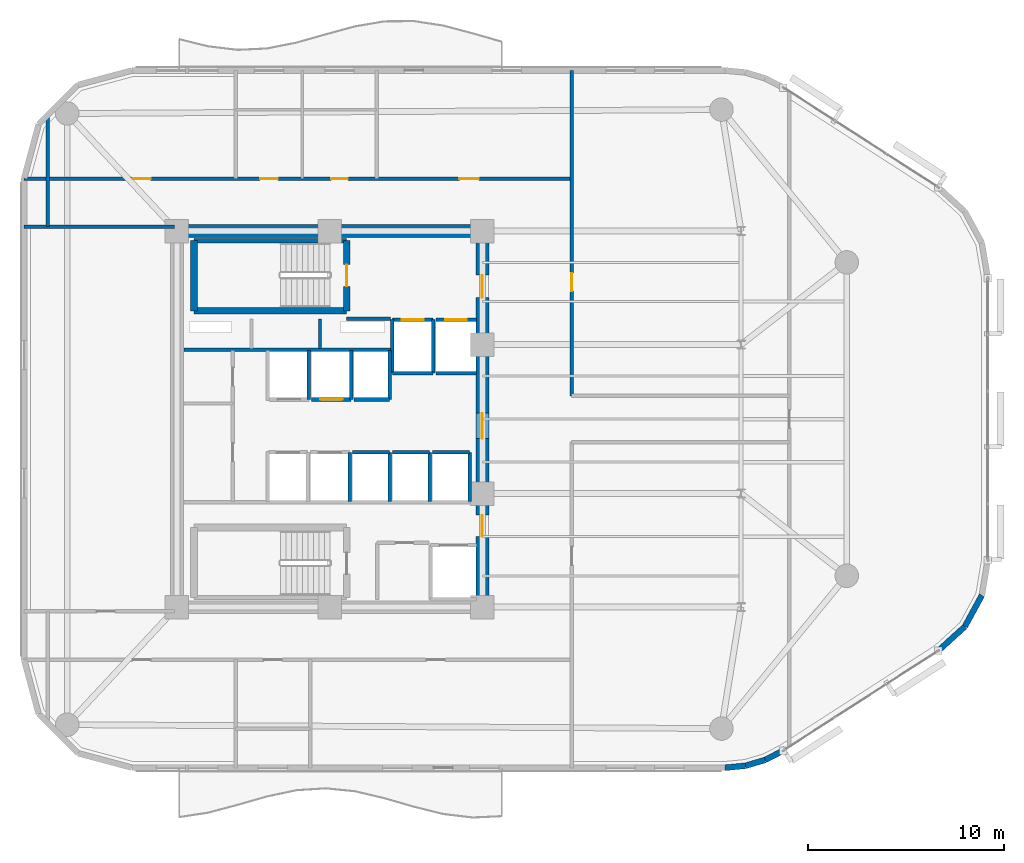
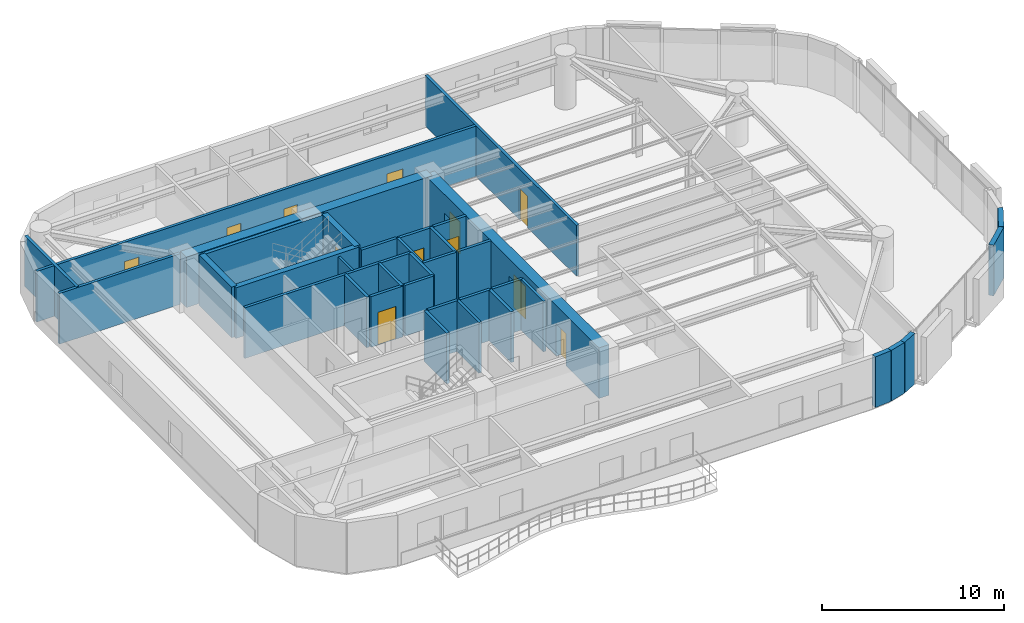
# One storey, part 11 of 14: 36 walls, 12 doors, 12 openings.
"""IFC4 building model written with IfcOpenShell, lengths in metres."""

from ifc_helpers import new_model, si_unit, direction, frame, frame_2d, origin, place, context, subcontext, project, spatial, rectangle, extrude, material, layer, layer_set, type_object, element, fill, save


model = new_model("IFC4")

# Units and contexts
model_context = context("Model", 3, precision=1e-05, world=origin(), true_north=direction((0.0, 1.0)))
body_context = subcontext(model_context, "Body", "Model", "MODEL_VIEW")
ifc_project = project(units=[si_unit("LENGTHUNIT", "METRE"), si_unit("AREAUNIT", "SQUARE_METRE"), si_unit("VOLUMEUNIT", "CUBIC_METRE"), si_unit("PLANEANGLEUNIT", "RADIAN"), si_unit("MASSUNIT", "GRAM", prefix="KILO")], contexts=[model_context])

# Site, building, storey
site_placement = place(None, origin())
site = spatial("IfcSite", under=ifc_project, at=site_placement, CompositionType="ELEMENT")
building_placement = place(site_placement, origin())
building = spatial("IfcBuilding", under=site, at=building_placement, Name="An Khanh Terracotta Commons", CompositionType="ELEMENT")
storey_placement = place(building_placement, frame((0.0, 0.0, 158.199951171875)))
storey = spatial("IfcBuildingStorey", under=building, at=storey_placement, Name="L41", CompositionType="ELEMENT", Elevation=158.199951171875)

# Wall
ifc_material_1 = material(Name="Concrete C60/75", Category="concrete")
ifc_layer_1 = layer(ifc_material_1, 0.64990234375, Name="Concrete C60/75")
ifc_layer_set_1 = layer_set([ifc_layer_1], Name="Concrete C60/75")
wall_type_1 = type_object("IfcWallType", Name="WALL-CORE-650", PredefinedType="SHEAR", material=ifc_layer_set_1)
wall_1_placement = place(storey_placement, frame((21.60009765625, 33.60009765625, 0.0), z_axis=(0.0, 0.0, 1.0), x_axis=(1.0, 0.0, 0.0)))
element("IfcWall", 1, at=wall_1_placement, inside=storey, type_object=wall_type_1, Name="L41 Core Wall CWALL-L41-N", PredefinedType="SHEAR", context=body_context, shape_type="SweptSolid", body=[
    extrude(rectangle(XDim=15.599853515625, YDim=0.64990234375, at=frame_2d((7.7998046875, 0.0))), origin(), (0.0, 0.0, 1.0), 3.400146484375),
])

# Wall, openings, doors
wall_2_placement = place(storey_placement, frame((37.199951171875, 14.39990234375, 0.0), z_axis=(0.0, 0.0, 1.0), x_axis=(0.0, 1.0, 0.0)))
wall_2 = element("IfcWall", 2, at=wall_2_placement, inside=storey, type_object=wall_type_1, Name="L41 Core Wall CWALL-L41-E", PredefinedType="SHEAR", context=body_context, shape_type="SweptSolid", body=[
    extrude(rectangle(XDim=19.2001953125, YDim=0.64990234375, at=frame_2d((9.60009765625, 0.0))), origin(), (0.0, 0.0, 1.0), 3.400146484375),
])
opening_1_placement = place(wall_2_placement, frame((15.800048828125, 0.0, 0.0)))
opening_1 = element("IfcOpeningElement", 3, at=opening_1_placement, cuts=wall_2, Name="Opening D-FFL", PredefinedType="OPENING", context=body_context, shape_type="SweptSolid", body=[
    extrude(rectangle(XDim=1.14990234375, YDim=2.14990234375, at=frame_2d((0.574951171875, 1.074951171875))), frame((0.0, 0.3349609375, 0.0), z_axis=(0.0, -1.0, 0.0), x_axis=(1.0, 0.0, 0.0)), (0.0, 0.0, 1.0), 0.669921875),
])
opening_2_placement = place(wall_2_placement, frame((3.60009765625, 0.0, 0.0)))
opening_2 = element("IfcOpeningElement", 4, at=opening_2_placement, cuts=wall_2, Name="Opening D-ST", PredefinedType="OPENING", context=body_context, shape_type="SweptSolid", body=[
    extrude(rectangle(XDim=1.10009765625, YDim=2.14990234375, at=frame_2d((0.550048828125, 1.074951171875))), frame((0.0, 0.3349609375, 0.0), z_axis=(0.0, -1.0, 0.0), x_axis=(1.0, 0.0, 0.0)), (0.0, 0.0, 1.0), 0.669921875),
])
opening_3_placement = place(wall_2_placement, frame((8.60009765625, 0.0, 0.0)))
opening_3 = element("IfcOpeningElement", 5, at=opening_3_placement, cuts=wall_2, Name="Opening D-COR", PredefinedType="OPENING", context=body_context, shape_type="SweptSolid", body=[
    extrude(rectangle(XDim=1.300048828125, YDim=2.199951171875, at=frame_2d((0.64990234375, 1.10009765625))), frame((0.0, 0.3349609375, 0.0), z_axis=(0.0, -1.0, 0.0), x_axis=(1.0, 0.0, 0.0)), (0.0, 0.0, 1.0), 0.669921875),
])
ifc_material_2 = material(Name="Fire-Rated Glazed Steel Double Door", Category="steel")
door_type_1 = type_object("IfcDoorType", Name="DOOR-CORR-1300", OperationType="NOTDEFINED", PredefinedType="DOOR", material=ifc_material_2)
door_1_placement = place(opening_3_placement, origin())
door_1 = element("IfcDoor", 6, at=door_1_placement, inside=storey, type_object=door_type_1, Name="L41 Passenger Lift Lobby Double Door", OperationType="DOUBLE_DOOR_SINGLE_SWING", OverallHeight=2.199951171875, OverallWidth=1.300048828125, PredefinedType="DOOR", context=body_context, shape_type="SweptSolid", body=[
    extrude(rectangle(XDim=1.300048828125, YDim=2.199951171875, at=frame_2d((0.64990234375, 1.10009765625))), frame((0.0, 0.02490234375, 0.0), z_axis=(0.0, -1.0, 0.0), x_axis=(1.0, 0.0, 0.0)), (0.0, 0.0, 1.0), 0.050048828125),
])
fill(opening_3, door_1)
ifc_material_3 = material(Name="Fire-Rated Steel Leaf and Vision Panel", Category="steel")
door_type_2 = type_object("IfcDoorType", Name="DOOR-FFL-1150", OperationType="NOTDEFINED", PredefinedType="DOOR", material=ifc_material_3)
door_2_placement = place(opening_1_placement, origin())
door_2 = element("IfcDoor", 7, at=door_2_placement, inside=storey, type_object=door_type_2, Name="L41 Firefighting Lift Lobby Fire Door", OperationType="SINGLE_SWING_LEFT", OverallHeight=2.14990234375, OverallWidth=1.14990234375, PredefinedType="DOOR", context=body_context, shape_type="SweptSolid", body=[
    extrude(rectangle(XDim=1.14990234375, YDim=2.14990234375, at=frame_2d((0.574951171875, 1.074951171875))), frame((0.0, 0.02490234375, 0.0), z_axis=(0.0, -1.0, 0.0), x_axis=(1.0, 0.0, 0.0)), (0.0, 0.0, 1.0), 0.050048828125),
])
fill(opening_1, door_2)
ifc_material_4 = material(Name="Fire-Rated Steel Leaf and Frame", Category="steel")
door_type_3 = type_object("IfcDoorType", Name="DOOR-STAIR-1100", OperationType="NOTDEFINED", PredefinedType="DOOR", material=ifc_material_4)
door_3_placement = place(opening_2_placement, origin())
door_3 = element("IfcDoor", 8, at=door_3_placement, inside=storey, type_object=door_type_3, Name="L41 South Stair Lobby Fire Door", OperationType="SINGLE_SWING_RIGHT", OverallHeight=2.14990234375, OverallWidth=1.10009765625, PredefinedType="DOOR", context=body_context, shape_type="SweptSolid", body=[
    extrude(rectangle(XDim=1.10009765625, YDim=2.14990234375, at=frame_2d((0.550048828125, 1.074951171875))), frame((0.0, 0.02490234375, 0.0), z_axis=(0.0, -1.0, 0.0), x_axis=(1.0, 0.0, 0.0)), (0.0, 0.0, 1.0), 0.050048828125),
])
fill(opening_2, door_3)

# Walls
ifc_material_5 = material(Name="Fire-Rated Gypsum Board on Steel Stud", Category="steel")
ifc_layer_2 = layer(ifc_material_5, 0.179931640625, Name="Fire-Rated Gypsum Board on Steel Stud")
ifc_layer_set_2 = layer_set([ifc_layer_2], Name="Fire-Rated Gypsum Board on Steel Stud")
wall_type_2 = type_object("IfcWallType", Name="WALL-CORR-180", PredefinedType="PARTITIONING", material=ifc_layer_set_2)
wall_3_placement = place(storey_placement, frame((30.27001953125, 29.1201171875, 0.0), z_axis=(0.0, 0.0, 1.0), x_axis=(1.0, 0.0, 0.0)))
element("IfcWall", 9, at=wall_3_placement, inside=storey, type_object=wall_type_2, Name="L41 Core Wall FFLW-L41-S", PredefinedType="PARTITIONING", context=body_context, shape_type="SweptSolid", body=[
    extrude(rectangle(XDim=2.239990234375, YDim=0.179931640625, at=frame_2d((1.1201171875, 0.0))), origin(), (0.0, 0.0, 1.0), 3.400146484375),
])
wall_4_placement = place(storey_placement, frame((21.949951171875, 27.5400390625, 0.0), z_axis=(0.0, 0.0, 1.0), x_axis=(1.0, 0.0, 0.0)))
element("IfcWall", 10, at=wall_4_placement, inside=storey, type_object=wall_type_2, Name="L41 Core Wall RSRW-L41-S", PredefinedType="PARTITIONING", context=body_context, shape_type="SweptSolid", body=[
    extrude(rectangle(XDim=10.56005859375, YDim=0.179931640625, at=frame_2d((5.280029296875, 0.0))), origin(), (0.0, 0.0, 1.0), 3.400146484375),
])

# Wall, opening, door
wall_5_placement = place(storey_placement, frame((32.60009765625, 29.080078125, 0.0), z_axis=(0.0, 0.0, 1.0), x_axis=(1.0, 0.0, 0.0)))
wall_5 = element("IfcWall", 11, at=wall_5_placement, inside=storey, type_object=wall_type_2, Name="L41 Core Wall LSH-L41-FFL-01-N", PredefinedType="PARTITIONING", context=body_context, shape_type="SweptSolid", body=[
    extrude(rectangle(XDim=2.079833984375, YDim=0.179931640625, at=frame_2d((1.0400390625, 0.0))), origin(), (0.0, 0.0, 1.0), 3.400146484375),
])
opening_4_placement = place(wall_5_placement, frame((0.489990234375, 0.0, 0.0)))
opening_4 = element("IfcOpeningElement", 12, at=opening_4_placement, cuts=wall_5, Name="Opening LD-FFL-01-L41", PredefinedType="OPENING", context=body_context, shape_type="SweptSolid", body=[
    extrude(rectangle(XDim=1.10009765625, YDim=2.199951171875, at=frame_2d((0.550048828125, 1.10009765625))), frame((0.0, 0.099853515625, 0.0), z_axis=(0.0, -1.0, 0.0), x_axis=(1.0, 0.0, 0.0)), (0.0, 0.0, 1.0), 0.199951171875),
])
ifc_material_6 = material(Name="Brushed Stainless Steel Fire Landing Door", Category="steel")
door_type_4 = type_object("IfcDoorType", Name="DOOR-LD-FFL-1100", OperationType="NOTDEFINED", PredefinedType="DOOR", material=ifc_material_6)
door_4_placement = place(opening_4_placement, origin())
door_4 = element("IfcDoor", 13, at=door_4_placement, inside=storey, type_object=door_type_4, Name="L41 Lift FFL-01 Sliding Landing Door", OperationType="DOUBLE_DOOR_SLIDING", OverallHeight=2.199951171875, OverallWidth=1.10009765625, PredefinedType="DOOR", context=body_context, shape_type="SweptSolid", body=[
    extrude(rectangle(XDim=1.10009765625, YDim=2.199951171875, at=frame_2d((0.550048828125, 1.10009765625))), frame((0.0, 0.02490234375, 0.0), z_axis=(0.0, -1.0, 0.0), x_axis=(1.0, 0.0, 0.0)), (0.0, 0.0, 1.0), 0.050048828125),
])
fill(opening_4, door_4)

# Walls
wall_6_placement = place(storey_placement, frame((34.679931640625, 26.35009765625, 0.0), z_axis=(0.0, 0.0, 1.0), x_axis=(-1.0, 0.0, 0.0)))
element("IfcWall", 14, at=wall_6_placement, inside=storey, type_object=wall_type_2, Name="L41 Core Wall LSH-L41-FFL-01-S", PredefinedType="PARTITIONING", context=body_context, shape_type="SweptSolid", body=[
    extrude(rectangle(XDim=2.079833984375, YDim=0.179931640625, at=frame_2d((1.0400390625, 0.0))), origin(), (0.0, 0.0, 1.0), 3.400146484375),
])
for number, where, z_axis, x_axis, name in (
    (15, (34.679931640625, 26.35009765625, 0.0), (0.0, 0.0, 1.0), (0.0, 1.0, 0.0), "L41 Core Wall LSH-L41-FFL-01-E"),
    (16, (32.60009765625, 29.080078125, 0.0), (0.0, 0.0, 1.0), (0.0, -1.0, 0.0), "L41 Core Wall LSH-L41-FFL-01-W"),
):
    element("IfcWall", number, at=place(storey_placement, frame(where, z_axis=z_axis, x_axis=x_axis)), inside=storey, type_object=wall_type_2, Name=name, PredefinedType="PARTITIONING", context=body_context, shape_type="SweptSolid", body=[
        extrude(rectangle(XDim=2.72998046875, YDim=0.179931640625, at=frame_2d((1.364990234375, 0.0))), origin(), (0.0, 0.0, 1.0), 3.400146484375),
    ])

# Wall, opening, door
wall_7_placement = place(storey_placement, frame((34.820068359375, 29.080078125, 0.0), z_axis=(0.0, 0.0, 1.0), x_axis=(1.0, 0.0, 0.0)))
wall_7 = element("IfcWall", 17, at=wall_7_placement, inside=storey, type_object=wall_type_2, Name="L41 Core Wall LSH-L41-FFL-02-N", PredefinedType="PARTITIONING", context=body_context, shape_type="SweptSolid", body=[
    extrude(rectangle(XDim=2.079833984375, YDim=0.179931640625, at=frame_2d((1.0400390625, 0.0))), origin(), (0.0, 0.0, 1.0), 3.400146484375),
])
opening_5_placement = place(wall_7_placement, frame((0.489990234375, 0.0, 0.0)))
opening_5 = element("IfcOpeningElement", 18, at=opening_5_placement, cuts=wall_7, Name="Opening LD-FFL-02-L41", PredefinedType="OPENING", context=body_context, shape_type="SweptSolid", body=[
    extrude(rectangle(XDim=1.10009765625, YDim=2.199951171875, at=frame_2d((0.550048828125, 1.10009765625))), frame((0.0, 0.099853515625, 0.0), z_axis=(0.0, -1.0, 0.0), x_axis=(1.0, 0.0, 0.0)), (0.0, 0.0, 1.0), 0.199951171875),
])
door_5_placement = place(opening_5_placement, origin())
door_5 = element("IfcDoor", 19, at=door_5_placement, inside=storey, type_object=door_type_4, Name="L41 Lift FFL-02 Sliding Landing Door", OperationType="DOUBLE_DOOR_SLIDING", OverallHeight=2.199951171875, OverallWidth=1.10009765625, PredefinedType="DOOR", context=body_context, shape_type="SweptSolid", body=[
    extrude(rectangle(XDim=1.10009765625, YDim=2.199951171875, at=frame_2d((0.550048828125, 1.10009765625))), frame((0.0, 0.02490234375, 0.0), z_axis=(0.0, -1.0, 0.0), x_axis=(1.0, 0.0, 0.0)), (0.0, 0.0, 1.0), 0.050048828125),
])
fill(opening_5, door_5)

# Walls
wall_8_placement = place(storey_placement, frame((36.89990234375, 26.35009765625, 0.0), z_axis=(0.0, 0.0, 1.0), x_axis=(-1.0, 0.0, 0.0)))
element("IfcWall", 20, at=wall_8_placement, inside=storey, type_object=wall_type_2, Name="L41 Core Wall LSH-L41-FFL-02-S", PredefinedType="PARTITIONING", context=body_context, shape_type="SweptSolid", body=[
    extrude(rectangle(XDim=2.079833984375, YDim=0.179931640625, at=frame_2d((1.0400390625, 0.0))), origin(), (0.0, 0.0, 1.0), 3.400146484375),
])
wall_9_placement = place(storey_placement, frame((28.340087890625, 25.0, 0.0), z_axis=(0.0, 0.0, 1.0), x_axis=(0.0, 1.0, 0.0)))
element("IfcWall", 21, at=wall_9_placement, inside=storey, type_object=wall_type_2, Name="L41 Core Wall LSH-L41-PL-M1-E", PredefinedType="PARTITIONING", context=body_context, shape_type="SweptSolid", body=[
    extrude(rectangle(XDim=2.5, YDim=0.179931640625, at=frame_2d((1.25, 0.0))), origin(), (0.0, 0.0, 1.0), 3.400146484375),
])

# Wall, opening, door
wall_10_placement = place(storey_placement, frame((30.5, 25.0, 0.0), z_axis=(0.0, 0.0, 1.0), x_axis=(-1.0, 0.0, 0.0)))
wall_10 = element("IfcWall", 22, at=wall_10_placement, inside=storey, type_object=wall_type_2, Name="L41 Core Wall LSH-L41-PL-M2-S", PredefinedType="PARTITIONING", context=body_context, shape_type="SweptSolid", body=[
    extrude(rectangle(XDim=2.02001953125, YDim=0.179931640625, at=frame_2d((1.010009765625, 0.0))), origin(), (0.0, 0.0, 1.0), 3.400146484375),
])
opening_6_placement = place(wall_10_placement, frame((0.43505859375, 0.0, 0.0)))
opening_6 = element("IfcOpeningElement", 23, at=opening_6_placement, cuts=wall_10, Name="Opening LD-PL-M2-L41", PredefinedType="OPENING", context=body_context, shape_type="SweptSolid", body=[
    extrude(rectangle(XDim=1.14990234375, YDim=2.199951171875, at=frame_2d((0.574951171875, 1.10009765625))), frame((0.0, 0.099853515625, 0.0), z_axis=(0.0, -1.0, 0.0), x_axis=(1.0, 0.0, 0.0)), (0.0, 0.0, 1.0), 0.199951171875),
])
ifc_material_7 = material(Name="Brushed Stainless Steel Passenger Landing Door", Category="steel")
door_type_5 = type_object("IfcDoorType", Name="DOOR-LD-PAX-1150", OperationType="NOTDEFINED", PredefinedType="DOOR", material=ifc_material_7)
door_6_placement = place(opening_6_placement, origin())
door_6 = element("IfcDoor", 24, at=door_6_placement, inside=storey, type_object=door_type_5, Name="L41 Lift PL-M2 Sliding Landing Door", OperationType="DOUBLE_DOOR_SLIDING", OverallHeight=2.199951171875, OverallWidth=1.14990234375, PredefinedType="DOOR", context=body_context, shape_type="SweptSolid", body=[
    extrude(rectangle(XDim=1.14990234375, YDim=2.199951171875, at=frame_2d((0.574951171875, 1.10009765625))), frame((0.0, 0.02490234375, 0.0), z_axis=(0.0, -1.0, 0.0), x_axis=(1.0, 0.0, 0.0)), (0.0, 0.0, 1.0), 0.050048828125),
])
fill(opening_6, door_6)

# Walls
for number, where, z_axis, x_axis, name in (
    (25, (30.5, 25.0, 0.0), (0.0, 0.0, 1.0), (0.0, 1.0, 0.0), "L41 Core Wall LSH-L41-PL-M2-E"),
    (26, (30.419921875, 19.800048828125, 0.0), (0.0, 0.0, 1.0), (0.0, 1.0, 0.0), "L41 Core Wall LSH-L41-PL-M4-E"),
):
    element("IfcWall", number, at=place(storey_placement, frame(where, z_axis=z_axis, x_axis=x_axis)), inside=storey, type_object=wall_type_2, Name=name, PredefinedType="PARTITIONING", context=body_context, shape_type="SweptSolid", body=[
        extrude(rectangle(XDim=2.5, YDim=0.179931640625, at=frame_2d((1.25, 0.0))), origin(), (0.0, 0.0, 1.0), 3.400146484375),
    ])
wall_11_placement = place(storey_placement, frame((32.4599609375, 25.0, 0.0), z_axis=(0.0, 0.0, 1.0), x_axis=(-1.0, 0.0, 0.0)))
element("IfcWall", 27, at=wall_11_placement, inside=storey, type_object=wall_type_2, Name="L41 Core Wall LSH-L41-PL-H1-S", PredefinedType="PARTITIONING", context=body_context, shape_type="SweptSolid", body=[
    extrude(rectangle(XDim=1.820068359375, YDim=0.179931640625, at=frame_2d((0.91015625, 0.0))), origin(), (0.0, 0.0, 1.0), 3.400146484375),
])
wall_12_placement = place(storey_placement, frame((32.4599609375, 25.0, 0.0), z_axis=(0.0, 0.0, 1.0), x_axis=(0.0, 1.0, 0.0)))
element("IfcWall", 28, at=wall_12_placement, inside=storey, type_object=wall_type_2, Name="L41 Core Wall LSH-L41-PL-H1-E", PredefinedType="PARTITIONING", context=body_context, shape_type="SweptSolid", body=[
    extrude(rectangle(XDim=2.5, YDim=0.179931640625, at=frame_2d((1.25, 0.0))), origin(), (0.0, 0.0, 1.0), 3.400146484375),
])
wall_13_placement = place(storey_placement, frame((30.56005859375, 22.300048828125, 0.0), z_axis=(0.0, 0.0, 1.0), x_axis=(1.0, 0.0, 0.0)))
element("IfcWall", 29, at=wall_13_placement, inside=storey, type_object=wall_type_2, Name="L41 Core Wall LSH-L41-PL-H2-N", PredefinedType="PARTITIONING", context=body_context, shape_type="SweptSolid", body=[
    extrude(rectangle(XDim=1.89990234375, YDim=0.179931640625, at=frame_2d((0.949951171875, 0.0))), origin(), (0.0, 0.0, 1.0), 3.400146484375),
])
wall_14_placement = place(storey_placement, frame((32.4599609375, 19.800048828125, 0.0), z_axis=(0.0, 0.0, 1.0), x_axis=(0.0, 1.0, 0.0)))
element("IfcWall", 30, at=wall_14_placement, inside=storey, type_object=wall_type_2, Name="L41 Core Wall LSH-L41-PL-H2-E", PredefinedType="PARTITIONING", context=body_context, shape_type="SweptSolid", body=[
    extrude(rectangle(XDim=2.5, YDim=0.179931640625, at=frame_2d((1.25, 0.0))), origin(), (0.0, 0.0, 1.0), 3.400146484375),
])
wall_15_placement = place(storey_placement, frame((32.60009765625, 22.300048828125, 0.0), z_axis=(0.0, 0.0, 1.0), x_axis=(1.0, 0.0, 0.0)))
element("IfcWall", 31, at=wall_15_placement, inside=storey, type_object=wall_type_2, Name="L41 Core Wall LSH-L41-PL-H3-N", PredefinedType="PARTITIONING", context=body_context, shape_type="SweptSolid", body=[
    extrude(rectangle(XDim=1.89990234375, YDim=0.179931640625, at=frame_2d((0.949951171875, 0.0))), origin(), (0.0, 0.0, 1.0), 3.400146484375),
])
wall_16_placement = place(storey_placement, frame((34.5, 19.800048828125, 0.0), z_axis=(0.0, 0.0, 1.0), x_axis=(0.0, 1.0, 0.0)))
element("IfcWall", 32, at=wall_16_placement, inside=storey, type_object=wall_type_2, Name="L41 Core Wall LSH-L41-PL-H3-E", PredefinedType="PARTITIONING", context=body_context, shape_type="SweptSolid", body=[
    extrude(rectangle(XDim=2.5, YDim=0.179931640625, at=frame_2d((1.25, 0.0))), origin(), (0.0, 0.0, 1.0), 3.400146484375),
])
wall_17_placement = place(storey_placement, frame((34.639892578125, 22.300048828125, 0.0), z_axis=(0.0, 0.0, 1.0), x_axis=(1.0, 0.0, 0.0)))
element("IfcWall", 33, at=wall_17_placement, inside=storey, type_object=wall_type_2, Name="L41 Core Wall LSH-L41-PL-H4-N", PredefinedType="PARTITIONING", context=body_context, shape_type="SweptSolid", body=[
    extrude(rectangle(XDim=1.900146484375, YDim=0.179931640625, at=frame_2d((0.9501953125, 0.0))), origin(), (0.0, 0.0, 1.0), 3.400146484375),
])
wall_18_placement = place(storey_placement, frame((36.5400390625, 19.800048828125, 0.0), z_axis=(0.0, 0.0, 1.0), x_axis=(0.0, 1.0, 0.0)))
element("IfcWall", 34, at=wall_18_placement, inside=storey, type_object=wall_type_2, Name="L41 Core Wall LSH-L41-PL-H4-E", PredefinedType="PARTITIONING", context=body_context, shape_type="SweptSolid", body=[
    extrude(rectangle(XDim=2.5, YDim=0.179931640625, at=frame_2d((1.25, 0.0))), origin(), (0.0, 0.0, 1.0), 3.400146484375),
])
wall_19_placement = place(storey_placement, frame((13.800048828125, 33.820068359375, 0.0), z_axis=(0.0, 0.0, 1.0), x_axis=(1.0, 0.0, 0.0)))
element("IfcWall", 35, at=wall_19_placement, inside=storey, type_object=wall_type_2, Name="L41 Interior Partition IW-L41-E006", PredefinedType="PARTITIONING", context=body_context, shape_type="SweptSolid", body=[
    extrude(rectangle(XDim=7.679931640625, YDim=0.179931640625, at=frame_2d((3.83984375, 0.0))), origin(), (0.0, 0.0, 1.0), 3.400146484375),
])

# Wall, openings, doors
wall_20_placement = place(storey_placement, frame((13.800048828125, 36.280029296875, 0.0), z_axis=(0.0, 0.0, 1.0), x_axis=(1.0, 0.0, 0.0)))
wall_20 = element("IfcWall", 36, at=wall_20_placement, inside=storey, type_object=wall_type_2, Name="L41 Interior Partition IW-L41-E007", PredefinedType="PARTITIONING", context=body_context, shape_type="SweptSolid", body=[
    extrude(rectangle(XDim=27.949951171875, YDim=0.179931640625, at=frame_2d((13.97509765625, 0.0))), origin(), (0.0, 0.0, 1.0), 3.400146484375),
])
opening_7_placement = place(wall_20_placement, frame((12.050048828125, 0.0, 0.0)))
opening_7 = element("IfcOpeningElement", 37, at=opening_7_placement, cuts=wall_20, Name="Opening D-WC", PredefinedType="OPENING", context=body_context, shape_type="SweptSolid", body=[
    extrude(rectangle(XDim=0.89990234375, YDim=2.10009765625, at=frame_2d((0.449951171875, 1.050048828125))), frame((0.0, 0.099853515625, 0.0), z_axis=(0.0, -1.0, 0.0), x_axis=(1.0, 0.0, 0.0)), (0.0, 0.0, 1.0), 0.199951171875),
])
opening_8_placement = place(wall_20_placement, frame((15.669921875, 0.0, 0.0)))
opening_8 = element("IfcOpeningElement", 38, at=opening_8_placement, cuts=wall_20, Name="Opening D-ENS", PredefinedType="OPENING", context=body_context, shape_type="SweptSolid", body=[
    extrude(rectangle(XDim=0.860107421875, YDim=2.10009765625, at=frame_2d((0.43017578125, 1.050048828125))), frame((0.0, 0.099853515625, 0.0), z_axis=(0.0, -1.0, 0.0), x_axis=(1.0, 0.0, 0.0)), (0.0, 0.0, 1.0), 0.199951171875),
])
opening_9_placement = place(wall_20_placement, frame((5.5400390625, 0.0, 0.0)))
opening_9 = element("IfcOpeningElement", 39, at=opening_9_placement, cuts=wall_20, Name="Opening D-RM", PredefinedType="OPENING", context=body_context, shape_type="SweptSolid", body=[
    extrude(rectangle(XDim=0.919921875, YDim=2.10009765625, at=frame_2d((0.4599609375, 1.050048828125))), frame((0.0, 0.099853515625, 0.0), z_axis=(0.0, -1.0, 0.0), x_axis=(1.0, 0.0, 0.0)), (0.0, 0.0, 1.0), 0.199951171875),
])
opening_10_placement = place(wall_20_placement, frame((22.215087890625, 0.0, 0.0)))
opening_10 = element("IfcOpeningElement", 40, at=opening_10_placement, cuts=wall_20, Name="Opening D-UN", PredefinedType="OPENING", context=body_context, shape_type="SweptSolid", body=[
    extrude(rectangle(XDim=1.0, YDim=2.14990234375, at=frame_2d((0.5, 1.074951171875))), frame((0.0, 0.099853515625, 0.0), z_axis=(0.0, -1.0, 0.0), x_axis=(1.0, 0.0, 0.0)), (0.0, 0.0, 1.0), 0.199951171875),
])
ifc_material_8 = material(Name="Moisture-Resistant Hardwood Timber Leaf", Category="wood")
door_type_6 = type_object("IfcDoorType", Name="DOOR-BATH-860", OperationType="NOTDEFINED", PredefinedType="DOOR", material=ifc_material_8)
door_7_placement = place(opening_8_placement, origin())
door_7 = element("IfcDoor", 41, at=door_7_placement, inside=storey, type_object=door_type_6, Name="L41 SHW Resident Shared Shower and Washroom Door", OperationType="SINGLE_SWING_LEFT", OverallHeight=2.10009765625, OverallWidth=0.860107421875, PredefinedType="DOOR", context=body_context, shape_type="SweptSolid", body=[
    extrude(rectangle(XDim=0.860107421875, YDim=2.10009765625, at=frame_2d((0.43017578125, 1.050048828125))), frame((0.0, 0.02490234375, 0.0), z_axis=(0.0, -1.0, 0.0), x_axis=(1.0, 0.0, 0.0)), (0.0, 0.0, 1.0), 0.050048828125),
])
fill(opening_8, door_7)
ifc_material_9 = material(Name="Engineered Hardwood Timber Leaf", Category="wood")
door_type_7 = type_object("IfcDoorType", Name="DOOR-INT-920", OperationType="NOTDEFINED", PredefinedType="DOOR", material=ifc_material_9)
door_8_placement = place(opening_9_placement, origin())
door_8 = element("IfcDoor", 42, at=door_8_placement, inside=storey, type_object=door_type_7, Name="L41 NW1 Student Reading Library Door", OperationType="SINGLE_SWING_RIGHT", OverallHeight=2.10009765625, OverallWidth=0.919921875, PredefinedType="DOOR", context=body_context, shape_type="SweptSolid", body=[
    extrude(rectangle(XDim=0.919921875, YDim=2.10009765625, at=frame_2d((0.4599609375, 1.050048828125))), frame((0.0, 0.02490234375, 0.0), z_axis=(0.0, -1.0, 0.0), x_axis=(1.0, 0.0, 0.0)), (0.0, 0.0, 1.0), 0.050048828125),
])
fill(opening_9, door_8)
ifc_material_10 = material(Name="Solid-Core Hardwood Acoustic Fire Door", Category="wood")
door_type_8 = type_object("IfcDoorType", Name="DOOR-UNIT-1000", OperationType="NOTDEFINED", PredefinedType="DOOR", material=ifc_material_10)
door_9_placement = place(opening_10_placement, origin())
door_9 = element("IfcDoor", 43, at=door_9_placement, inside=storey, type_object=door_type_8, Name="L41 NWE Yoga Wellness Studio Door", OperationType="SINGLE_SWING_LEFT", OverallHeight=2.14990234375, OverallWidth=1.0, PredefinedType="DOOR", context=body_context, shape_type="SweptSolid", body=[
    extrude(rectangle(XDim=1.0, YDim=2.14990234375, at=frame_2d((0.5, 1.074951171875))), frame((0.0, 0.02490234375, 0.0), z_axis=(0.0, -1.0, 0.0), x_axis=(1.0, 0.0, 0.0)), (0.0, 0.0, 1.0), 0.050048828125),
])
fill(opening_10, door_9)
ifc_material_11 = material(Name="Laminate Moisture-Resistant Timber Leaf", Category="wood")
door_type_9 = type_object("IfcDoorType", Name="DOOR-WC-900", OperationType="NOTDEFINED", PredefinedType="DOOR", material=ifc_material_11)
door_10_placement = place(opening_7_placement, origin())
door_10 = element("IfcDoor", 44, at=door_10_placement, inside=storey, type_object=door_type_9, Name="L41 AWC Accessible WC Door", OperationType="SINGLE_SWING_RIGHT", OverallHeight=2.10009765625, OverallWidth=0.89990234375, PredefinedType="DOOR", context=body_context, shape_type="SweptSolid", body=[
    extrude(rectangle(XDim=0.89990234375, YDim=2.10009765625, at=frame_2d((0.449951171875, 1.050048828125))), frame((0.0, 0.02490234375, 0.0), z_axis=(0.0, -1.0, 0.0), x_axis=(1.0, 0.0, 0.0)), (0.0, 0.0, 1.0), 0.050048828125),
])
fill(opening_7, door_10)

# Wall
wall_21_placement = place(storey_placement, frame((15.0, 33.820068359375, 0.0), z_axis=(0.0, 0.0, 1.0), x_axis=(0.0, 1.0, 0.0)))
element("IfcWall", 45, at=wall_21_placement, inside=storey, type_object=wall_type_2, Name="L41 Interior Partition IW-L41-E010", PredefinedType="PARTITIONING", context=body_context, shape_type="SweptSolid", body=[
    extrude(rectangle(XDim=5.69287109375, YDim=0.179931640625, at=frame_2d((2.846435546875, 0.0))), origin(), (0.0, 0.0, 1.0), 3.400146484375),
])

# Wall, opening, door
wall_22_placement = place(storey_placement, frame((41.75, 25.179931640625, 0.0), z_axis=(0.0, 0.0, 1.0), x_axis=(0.0, 1.0, 0.0)))
wall_22 = element("IfcWall", 46, at=wall_22_placement, inside=storey, type_object=wall_type_2, Name="L41 Interior Partition IW-L41-E017", PredefinedType="PARTITIONING", context=body_context, shape_type="SweptSolid", body=[
    extrude(rectangle(XDim=16.6201171875, YDim=0.179931640625, at=frame_2d((8.31005859375, 0.0))), origin(), (0.0, 0.0, 1.0), 3.400146484375),
])
opening_11_placement = place(wall_22_placement, frame((5.35009765625, 0.0, 0.0)))
opening_11 = element("IfcOpeningElement", 47, at=opening_11_placement, cuts=wall_22, Name="Opening D-RM", PredefinedType="OPENING", context=body_context, shape_type="SweptSolid", body=[
    extrude(rectangle(XDim=0.919921875, YDim=2.10009765625, at=frame_2d((0.4599609375, 1.050048828125))), frame((0.0, 0.099853515625, 0.0), z_axis=(0.0, -1.0, 0.0), x_axis=(1.0, 0.0, 0.0)), (0.0, 0.0, 1.0), 0.199951171875),
])
door_11_placement = place(opening_11_placement, origin())
door_11 = element("IfcDoor", 48, at=door_11_placement, inside=storey, type_object=door_type_7, Name="L41 SPN1 Music Room Door", OperationType="SINGLE_SWING_LEFT", OverallHeight=2.10009765625, OverallWidth=0.919921875, PredefinedType="DOOR", context=body_context, shape_type="SweptSolid", body=[
    extrude(rectangle(XDim=0.919921875, YDim=2.10009765625, at=frame_2d((0.4599609375, 1.050048828125))), frame((0.0, 0.02490234375, 0.0), z_axis=(0.0, -1.0, 0.0), x_axis=(1.0, 0.0, 0.0)), (0.0, 0.0, 1.0), 0.050048828125),
])
fill(opening_11, door_11)

# Walls
ifc_material_12 = material(Name="Precast concrete C40/50", Category="concrete")
ifc_layer_3 = layer(ifc_material_12, 0.300048828125, Name="Precast concrete C40/50")
ifc_layer_set_3 = layer_set([ifc_layer_3], Name="Precast concrete C40/50")
wall_type_3 = type_object("IfcWallType", Name="WALL-EXT-300", PredefinedType="SOLIDWALL", material=ifc_layer_set_3)
wall_23_placement = place(storey_placement, frame((49.58203125, 6.199951171875, 0.0), z_axis=(0.0, 0.0, 1.0), x_axis=(0.995426089968, 0.095534807324, 0.0)))
element("IfcWall", 49, at=wall_23_placement, inside=storey, type_object=wall_type_3, Name="L41 Insulated Terracotta Exterior Wall 5", PredefinedType="SOLIDWALL", context=body_context, shape_type="SweptSolid", body=[
    extrude(rectangle(XDim=1.0478515625, YDim=0.300048828125, at=frame_2d((0.52392578125, 0.0))), origin(), (0.0, 0.0, 1.0), 3.400146484375),
])
wall_24_placement = place(storey_placement, frame((50.625, 6.300048828125, 0.0), z_axis=(0.0, 0.0, 1.0), x_axis=(0.959528674476, 0.281610942363, 0.0)))
element("IfcWall", 50, at=wall_24_placement, inside=storey, type_object=wall_type_3, Name="L41 Insulated Terracotta Exterior Wall 6", PredefinedType="SOLIDWALL", context=body_context, shape_type="SweptSolid", body=[
    extrude(rectangle(XDim=1.04736328125, YDim=0.300048828125, at=frame_2d((0.523681640625, 0.0))), origin(), (0.0, 0.0, 1.0), 3.400146484375),
])
wall_25_placement = place(storey_placement, frame((51.6298828125, 6.594970703125, 0.0), z_axis=(0.0, 0.0, 1.0), x_axis=(0.888283247196, 0.459296062198, 0.0)))
element("IfcWall", 51, at=wall_25_placement, inside=storey, type_object=wall_type_3, Name="L41 Insulated Terracotta Exterior Wall 7", PredefinedType="SOLIDWALL", context=body_context, shape_type="SweptSolid", body=[
    extrude(rectangle(XDim=1.047119140625, YDim=0.300048828125, at=frame_2d((0.5234375, 0.0))), origin(), (0.0, 0.0, 1.0), 3.400146484375),
])
wall_26_placement = place(storey_placement, frame((60.47802734375, 12.176025390625, 0.0), z_axis=(0.0, 0.0, 1.0), x_axis=(0.73947929393, 0.673179302897, 0.0)))
element("IfcWall", 52, at=wall_26_placement, inside=storey, type_object=wall_type_3, Name="L41 Insulated Terracotta Exterior Wall 9", PredefinedType="SOLIDWALL", context=body_context, shape_type="SweptSolid", body=[
    extrude(rectangle(XDim=1.82275390625, YDim=0.300048828125, at=frame_2d((0.911376953125, 0.0))), origin(), (0.0, 0.0, 1.0), 3.400146484375),
])
wall_27_placement = place(storey_placement, frame((61.825927734375, 13.403076171875, 0.0), z_axis=(0.0, 0.0, 1.0), x_axis=(0.478608030646, 0.878028674362, 0.0)))
element("IfcWall", 53, at=wall_27_placement, inside=storey, type_object=wall_type_3, Name="L41 Insulated Terracotta Exterior Wall 10", PredefinedType="SOLIDWALL", context=body_context, shape_type="SweptSolid", body=[
    extrude(rectangle(XDim=1.822021484375, YDim=0.300048828125, at=frame_2d((0.9111328125, 0.0))), origin(), (0.0, 0.0, 1.0), 3.400146484375),
])
ifc_material_13 = material(Name="Acoustic Gypsum Board Partition")
ifc_layer_4 = layer(ifc_material_13, 0.14990234375, Name="Acoustic Gypsum Board Partition")
ifc_layer_set_4 = layer_set([ifc_layer_4], Name="Acoustic Gypsum Board Partition")
wall_type_4 = type_object("IfcWallType", Name="WALL-PART-150", PredefinedType="PARTITIONING", material=ifc_layer_set_4)
wall_28_placement = place(storey_placement, frame((28.89990234375, 27.60009765625, 0.0), z_axis=(0.0, 0.0, 1.0), x_axis=(0.0, 1.0, 0.0)))
element("IfcWall", 54, at=wall_28_placement, inside=storey, type_object=wall_type_4, Name="L41 Core Wall RSRW-L41-D2", PredefinedType="PARTITIONING", context=body_context, shape_type="SweptSolid", body=[
    extrude(rectangle(XDim=1.52001953125, YDim=0.14990234375, at=frame_2d((0.760009765625, 0.0))), origin(), (0.0, 0.0, 1.0), 3.400146484375),
])
ifc_material_14 = material(Name="Acoustic Double-Stud Gypsum and Mineral Wool")
ifc_layer_5 = layer(ifc_material_14, 0.219970703125, Name="Acoustic Double-Stud Gypsum and Mineral Wool")
ifc_layer_set_5 = layer_set([ifc_layer_5], Name="Acoustic Double-Stud Gypsum and Mineral Wool")
wall_type_5 = type_object("IfcWallType", Name="WALL-PARTY-220", PredefinedType="PARTITIONING", material=ifc_layer_set_5)
wall_29_placement = place(storey_placement, frame((22.47998046875, 33.110107421875, 0.0), z_axis=(0.0, 0.0, 1.0), x_axis=(1.0, 0.0, 0.0)))
element("IfcWall", 55, at=wall_29_placement, inside=storey, type_object=wall_type_5, Name="L41 Core Wall STW-L41-N-N", PredefinedType="PARTITIONING", context=body_context, shape_type="SweptSolid", body=[
    extrude(rectangle(XDim=7.7900390625, YDim=0.219970703125, at=frame_2d((3.89501953125, 0.0))), origin(), (0.0, 0.0, 1.0), 3.400146484375),
])
ifc_material_15 = material(Name="Concrete C50/60", Category="concrete")
ifc_layer_6 = layer(ifc_material_15, 0.35009765625, Name="Concrete C50/60")
ifc_layer_set_6 = layer_set([ifc_layer_6], Name="Concrete C50/60")
wall_type_6 = type_object("IfcWallType", Name="WALL-SHAFT-350", PredefinedType="SOLIDWALL", material=ifc_layer_set_6)
wall_30_placement = place(storey_placement, frame((22.47998046875, 29.530029296875, 0.0), z_axis=(0.0, 0.0, 1.0), x_axis=(1.0, 0.0, 0.0)))
element("IfcWall", 56, at=wall_30_placement, inside=storey, type_object=wall_type_6, Name="L41 Core Wall STW-L41-N-S", PredefinedType="SOLIDWALL", context=body_context, shape_type="SweptSolid", body=[
    extrude(rectangle(XDim=7.7900390625, YDim=0.35009765625, at=frame_2d((3.89501953125, 0.0))), origin(), (0.0, 0.0, 1.0), 3.400146484375),
])
wall_31_placement = place(storey_placement, frame((22.47998046875, 29.530029296875, 0.0), z_axis=(0.0, 0.0, 1.0), x_axis=(0.0, 1.0, 0.0)))
element("IfcWall", 57, at=wall_31_placement, inside=storey, type_object=wall_type_6, Name="L41 Core Wall STW-L41-N-W", PredefinedType="SOLIDWALL", context=body_context, shape_type="SweptSolid", body=[
    extrude(rectangle(XDim=3.580078125, YDim=0.35009765625, at=frame_2d((1.7900390625, 0.0))), origin(), (0.0, 0.0, 1.0), 3.400146484375),
])

# Wall, opening, door
wall_32_placement = place(storey_placement, frame((30.27001953125, 29.530029296875, 0.0), z_axis=(0.0, 0.0, 1.0), x_axis=(0.0, 1.0, 0.0)))
wall_32 = element("IfcWall", 58, at=wall_32_placement, inside=storey, type_object=wall_type_6, Name="L41 Core Wall STW-L41-N-E", PredefinedType="SOLIDWALL", context=body_context, shape_type="SweptSolid", body=[
    extrude(rectangle(XDim=3.580078125, YDim=0.35009765625, at=frame_2d((1.7900390625, 0.0))), origin(), (0.0, 0.0, 1.0), 3.400146484375),
])
opening_12_placement = place(wall_32_placement, frame((1.25, 0.0, 0.0)))
opening_12 = element("IfcOpeningElement", 59, at=opening_12_placement, cuts=wall_32, Name="Opening D-ST", PredefinedType="OPENING", context=body_context, shape_type="SweptSolid", body=[
    extrude(rectangle(XDim=1.10009765625, YDim=2.14990234375, at=frame_2d((0.550048828125, 1.074951171875))), frame((0.0, 0.18505859375, 0.0), z_axis=(0.0, -1.0, 0.0), x_axis=(1.0, 0.0, 0.0)), (0.0, 0.0, 1.0), 0.3701171875),
])
door_12_placement = place(opening_12_placement, origin())
door_12 = element("IfcDoor", 60, at=door_12_placement, inside=storey, type_object=door_type_3, Name="L41 Stair ST-01 Fire Door", OperationType="SINGLE_SWING_LEFT", OverallHeight=2.14990234375, OverallWidth=1.10009765625, PredefinedType="DOOR", context=body_context, shape_type="SweptSolid", body=[
    extrude(rectangle(XDim=1.10009765625, YDim=2.14990234375, at=frame_2d((0.550048828125, 1.074951171875))), frame((0.0, 0.02490234375, 0.0), z_axis=(0.0, -1.0, 0.0), x_axis=(1.0, 0.0, 0.0)), (0.0, 0.0, 1.0), 0.050048828125),
])
fill(opening_12, door_12)

save(model, "model.ifc")
